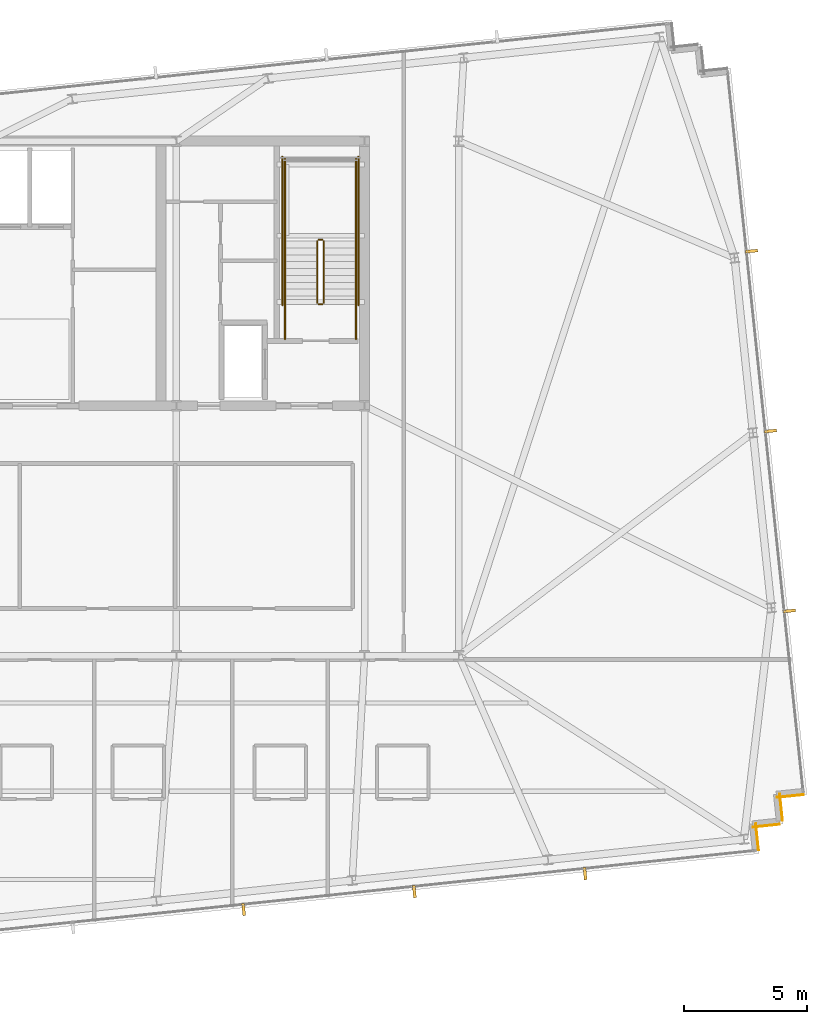
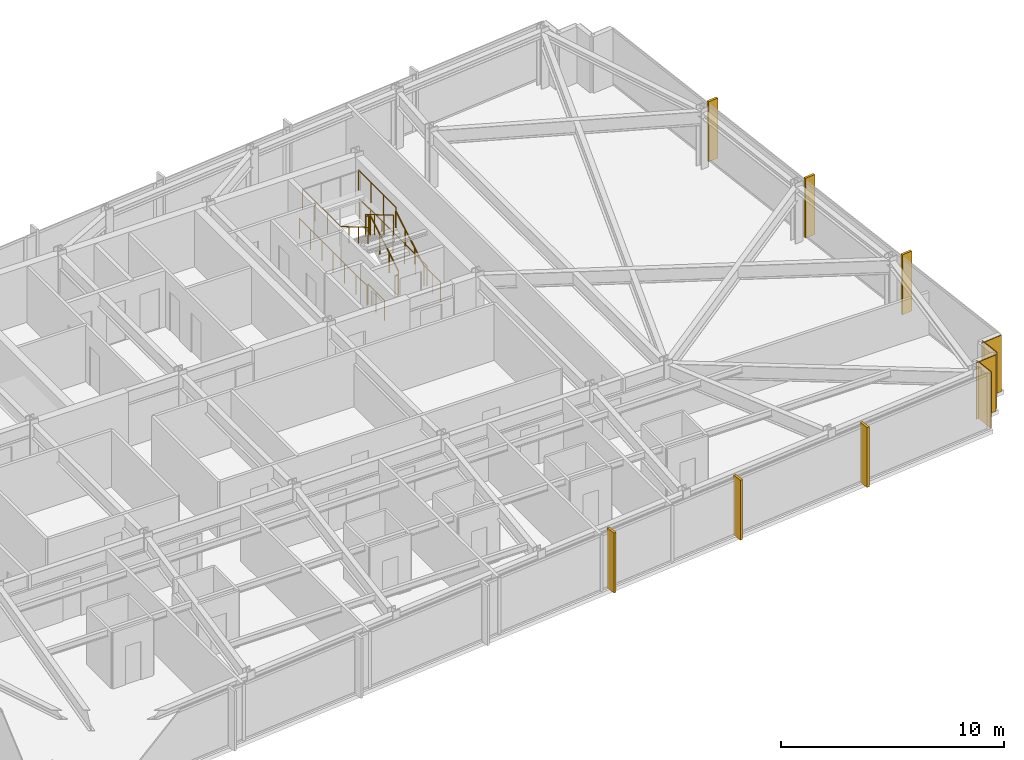
# One storey, part 32 of 33: 12 railings, 6 shading devices, 4 coverings.
"""IFC4 building model written with IfcOpenShell, lengths in metres."""

from ifc_helpers import new_model, si_unit, direction, frame, frame_2d, origin, origin_2d, place, context, subcontext, project, spatial, rectangle, circle, extrude, material, layer, layer_set, type_object, element, save


model = new_model("IFC4")

# Units and contexts
model_context = context("Model", 3, precision=1e-05, world=origin(), true_north=direction((0.0, 1.0)))
body_context = subcontext(model_context, "Body", "Model", "MODEL_VIEW")
ifc_project = project(units=[si_unit("LENGTHUNIT", "METRE"), si_unit("AREAUNIT", "SQUARE_METRE"), si_unit("VOLUMEUNIT", "CUBIC_METRE"), si_unit("PLANEANGLEUNIT", "RADIAN"), si_unit("MASSUNIT", "GRAM", prefix="KILO")], contexts=[model_context])

# Site, building, storey
site_placement = place(None, origin())
site = spatial("IfcSite", under=ifc_project, at=site_placement, CompositionType="ELEMENT")
building_placement = place(site_placement, origin())
building = spatial("IfcBuilding", under=site, at=building_placement, Name="Yelkora Congress Tower", CompositionType="ELEMENT")
storey_placement = place(building_placement, frame((0.0, 0.0, 237.5)))
storey = spatial("IfcBuildingStorey", under=building, at=storey_placement, Name="L66", CompositionType="ELEMENT", Elevation=237.5)

# Coverings
ifc_material_1 = material(Name="Anatolian bush-hammered limestone", Category="masonry")
ifc_layer_1 = layer(ifc_material_1, 0.0400390625)
ifc_layer_set_1 = layer_set([ifc_layer_1], Name="Anatolian bush-hammered limestone")
covering_type = type_object("IfcCoveringType", Name="COV-CLAD-SPANDREL-40", PredefinedType="CLADDING", material=ifc_layer_set_1)
for number, where, z_axis, x_axis, name in (
    (1, (71.668212890625, 19.535888671875, 0.0), (0.0, 0.0, 1.0), (-0.994544300928, -0.104315068386, 0.0), "L66 Anatolian Limestone Cladding EW-L66-SR16"),
    (2, (70.6943359375, 19.569580078125, 0.0), (0.0, 0.0, 1.0), (0.104534592565, -0.994521251134, 0.0), "L66 Anatolian Limestone Cladding EW-L66-SR17"),
    (3, (70.689208984375, 18.3271484375, 0.0), (0.0, 0.0, 1.0), (-0.994521251134, -0.104534592565, 0.0), "L66 Anatolian Limestone Cladding EW-L66-SR18"),
    (4, (69.71533203125, 18.360595703125, 0.0), (0.0, 0.0, 1.0), (0.104534592565, -0.994521251134, 0.0), "L66 Anatolian Limestone Cladding EW-L66-SR19"),
):
    element("IfcCovering", number, at=place(storey_placement, frame(where, z_axis=z_axis, x_axis=x_axis)), inside=storey, type_object=covering_type, Name=name, PredefinedType="CLADDING", context=body_context, shape_type="SweptSolid", body=[
        extrude(rectangle(XDim=1.10009765625, YDim=0.0400390625, at=frame_2d((0.550048828125, 0.0))), origin(), (0.0, 0.0, 1.0), 3.080078125),
    ])

# Railings
ifc_material_2 = material(Name="Painted galvanised steel stair well guard with vertical infill", Category="steel")
ifc_layer_2 = layer(ifc_material_2, 0.06005859375)
ifc_layer_set_2 = layer_set([ifc_layer_2], Name="Painted galvanised steel stair well guard with vertical infill")
railing_type_1 = type_object("IfcRailingType", Name="RAIL-STAIR-GUARD-1120", PredefinedType="GUARDRAIL", material=ifc_layer_set_2)
railing_1_placement = place(storey_placement, frame((52.090087890625, 39.60009765625, 0.1650390625)))
element("IfcRailing", 5, at=railing_1_placement, inside=storey, type_object=railing_type_1, Name="ST-02 L66 Stair Well Guardrail 1", PredefinedType="GUARDRAIL", context=body_context, shape_type="SweptSolid", body=[
    extrude(circle(Radius=0.02392578125, at=origin_2d()), frame((0.0, 0.0, 1.09619140625), z_axis=(0.0, 0.861560626758, 0.507654692109), x_axis=(-1.0, 0.0, 0.0)), (0.0, 0.0, 1.0), 2.925048828125),
    extrude(circle(Radius=0.02099609375, at=origin_2d()), origin(), (0.0, 0.0, 1.0), 1.072021484375),
    extrude(circle(Radius=0.02099609375, at=origin_2d()), frame((0.0, 0.840087890625, 0.494873046875)), (0.0, 0.0, 1.0), 1.072021484375),
    extrude(circle(Radius=0.02099609375, at=origin_2d()), frame((0.0, 1.679931640625, 0.989990234375)), (0.0, 0.0, 1.0), 1.072021484375),
    extrude(circle(Radius=0.02099609375, at=origin_2d()), frame((0.0, 2.52001953125, 1.48486328125)), (0.0, 0.0, 1.0), 1.072021484375),
])
railing_2_placement = place(storey_placement, frame((52.0400390625, 42.169921875, 1.64990234375)))
element("IfcRailing", 6, at=railing_2_placement, inside=storey, type_object=railing_type_1, Name="ST-02 L66 Stair Well Guardrail 2", PredefinedType="GUARDRAIL", context=body_context, shape_type="SweptSolid", body=[
    extrude(circle(Radius=0.02392578125, at=origin_2d()), frame((0.0, 0.0, 1.09619140625), z_axis=(-1.0, 0.0, 0.0), x_axis=(0.0, -1.0, 0.0)), (0.0, 0.0, 1.0), 0.16015625),
    extrude(circle(Radius=0.02099609375, at=origin_2d()), origin(), (0.0, 0.0, 1.0), 1.072021484375),
    extrude(circle(Radius=0.02099609375, at=origin_2d()), frame((-0.16015625, 0.0, 0.0)), (0.0, 0.0, 1.0), 1.072021484375),
])
for number, where, name in (
    (7, (53.409912109375, 42.1201171875, 1.64990234375), "ST-02 L66 Stair Well Guardrail 3"),
    (8, (50.510009765625, 42.1201171875, 1.64990234375), "ST-02 L66 Stair Well Guardrail 4"),
):
    element("IfcRailing", number, at=place(storey_placement, frame(where)), inside=storey, type_object=railing_type_1, Name=name, PredefinedType="GUARDRAIL", context=body_context, shape_type="SweptSolid", body=[
        extrude(circle(Radius=0.02392578125, at=origin_2d()), frame((0.0, 0.0, 1.09619140625), z_axis=(0.0, 1.0, 0.0), x_axis=(-1.0, 0.0, 0.0)), (0.0, 0.0, 1.0), 3.349853515625),
        extrude(circle(Radius=0.02099609375, at=origin_2d()), origin(), (0.0, 0.0, 1.0), 1.072021484375),
        extrude(circle(Radius=0.02099609375, at=origin_2d()), frame((0.0, 1.11669921875, 0.0)), (0.0, 0.0, 1.0), 1.072021484375),
        extrude(circle(Radius=0.02099609375, at=origin_2d()), frame((0.0, 2.233154296875, 0.0)), (0.0, 0.0, 1.0), 1.072021484375),
        extrude(circle(Radius=0.02099609375, at=origin_2d()), frame((0.0, 3.349853515625, 0.0)), (0.0, 0.0, 1.0), 1.072021484375),
    ])
railing_3_placement = place(storey_placement, frame((51.830078125, 42.1201171875, 1.81494140625)))
element("IfcRailing", 9, at=railing_3_placement, inside=storey, type_object=railing_type_1, Name="ST-02 L66 Stair Well Guardrail 6", PredefinedType="GUARDRAIL", context=body_context, shape_type="SweptSolid", body=[
    extrude(circle(Radius=0.02392578125, at=origin_2d()), frame((0.0, 0.0, 1.09619140625), z_axis=(0.0, -0.86152411907, 0.507716645641), x_axis=(1.0, 0.0, 0.0)), (0.0, 0.0, 1.0), 2.925048828125),
    extrude(circle(Radius=0.02099609375, at=origin_2d()), origin(), (0.0, 0.0, 1.0), 1.072021484375),
    extrude(circle(Radius=0.02099609375, at=origin_2d()), frame((0.0, -0.840087890625, 0.4951171875)), (0.0, 0.0, 1.0), 1.072021484375),
    extrude(circle(Radius=0.02099609375, at=origin_2d()), frame((0.0, -1.679931640625, 0.989990234375)), (0.0, 0.0, 1.0), 1.072021484375),
    extrude(circle(Radius=0.02099609375, at=origin_2d()), frame((0.0, -2.52001953125, 1.485107421875)), (0.0, 0.0, 1.0), 1.072021484375),
])
railing_4_placement = place(storey_placement, frame((52.0400390625, 39.550048828125, 0.0)))
element("IfcRailing", 10, at=railing_4_placement, inside=storey, type_object=railing_type_1, Name="ST-02 L66 Stair Well Guardrail 7", PredefinedType="GUARDRAIL", context=body_context, shape_type="SweptSolid", body=[
    extrude(circle(Radius=0.02392578125, at=origin_2d()), frame((0.0, 0.0, 1.09619140625), z_axis=(-1.0, 0.0, 0.0), x_axis=(0.0, -1.0, 0.0)), (0.0, 0.0, 1.0), 0.16015625),
    extrude(circle(Radius=0.02099609375, at=origin_2d()), origin(), (0.0, 0.0, 1.0), 1.072021484375),
    extrude(circle(Radius=0.02099609375, at=origin_2d()), frame((-0.16015625, 0.0, 0.0)), (0.0, 0.0, 1.0), 1.072021484375),
])
for number, where, name in (
    (11, (53.409912109375, 38.1201171875, 0.0), "ST-02 L66 Stair Well Guardrail 8"),
    (12, (50.510009765625, 38.1201171875, 0.0), "ST-02 L66 Stair Well Guardrail 9"),
):
    element("IfcRailing", number, at=place(storey_placement, frame(where)), inside=storey, type_object=railing_type_1, Name=name, PredefinedType="GUARDRAIL", context=body_context, shape_type="SweptSolid", body=[
        extrude(circle(Radius=0.02392578125, at=origin_2d()), frame((0.0, 0.0, 1.09619140625), z_axis=(0.0, 1.0, 0.0), x_axis=(-1.0, 0.0, 0.0)), (0.0, 0.0, 1.0), 1.47998046875),
        extrude(circle(Radius=0.02099609375, at=origin_2d()), origin(), (0.0, 0.0, 1.0), 1.072021484375),
        extrude(circle(Radius=0.02099609375, at=origin_2d()), frame((0.0, 0.739990234375, 0.0)), (0.0, 0.0, 1.0), 1.072021484375),
        extrude(circle(Radius=0.02099609375, at=origin_2d()), frame((0.0, 1.47998046875, 0.0)), (0.0, 0.0, 1.0), 1.072021484375),
    ])
for number, where, name in (
    (13, (53.510009765625, 39.5, 0.0), "ST-02 L66 Stair Well Guardrail 10"),
    (14, (50.409912109375, 39.5, 0.0), "ST-02 L66 Stair Well Guardrail 11"),
):
    element("IfcRailing", number, at=place(storey_placement, frame(where)), inside=storey, type_object=railing_type_1, Name=name, PredefinedType="GUARDRAIL", context=body_context, shape_type="SweptSolid", body=[
        extrude(circle(Radius=0.02392578125, at=origin_2d()), frame((0.0, 0.0, 1.09619140625), z_axis=(0.0, 1.0, 0.0), x_axis=(-1.0, 0.0, 0.0)), (0.0, 0.0, 1.0), 6.070068359375),
        extrude(circle(Radius=0.02099609375, at=origin_2d()), origin(), (0.0, 0.0, 1.0), 1.072021484375),
        extrude(circle(Radius=0.02099609375, at=origin_2d()), frame((0.0, 1.01171875, 0.0)), (0.0, 0.0, 1.0), 1.072021484375),
        extrude(circle(Radius=0.02099609375, at=origin_2d()), frame((0.0, 2.0234375, 0.0)), (0.0, 0.0, 1.0), 1.072021484375),
        extrude(circle(Radius=0.02099609375, at=origin_2d()), frame((0.0, 3.03515625, 0.0)), (0.0, 0.0, 1.0), 1.072021484375),
        extrude(circle(Radius=0.02099609375, at=origin_2d()), frame((0.0, 4.046630859375, 0.0)), (0.0, 0.0, 1.0), 1.072021484375),
        extrude(circle(Radius=0.02099609375, at=origin_2d()), frame((0.0, 5.058349609375, 0.0)), (0.0, 0.0, 1.0), 1.072021484375),
        extrude(circle(Radius=0.02099609375, at=origin_2d()), frame((0.0, 6.070068359375, 0.0)), (0.0, 0.0, 1.0), 1.072021484375),
    ])
ifc_material_3 = material(Name="Brushed stainless steel tubular handrail", Category="steel")
ifc_layer_3 = layer(ifc_material_3, 0.050048828125)
ifc_layer_set_3 = layer_set([ifc_layer_3], Name="Brushed stainless steel tubular handrail")
railing_type_2 = type_object("IfcRailingType", Name="RAIL-STAIR-HAND-920", PredefinedType="HANDRAIL", material=ifc_layer_set_3)
railing_5_placement = place(storey_placement, frame((53.409912109375, 39.60009765625, 0.1650390625)))
element("IfcRailing", 15, at=railing_5_placement, inside=storey, type_object=railing_type_2, Name="ST-02 L66 Pitch Handrail 1", PredefinedType="HANDRAIL", context=body_context, shape_type="SweptSolid", body=[
    extrude(circle(Radius=0.02392578125, at=origin_2d()), frame((0.0, 0.0, 0.89599609375), z_axis=(0.0, 0.861560626758, 0.507654692109), x_axis=(-1.0, 0.0, 0.0)), (0.0, 0.0, 1.0), 2.925048828125),
    extrude(circle(Radius=0.02099609375, at=origin_2d()), origin(), (0.0, 0.0, 1.0), 0.871826171875),
    extrude(circle(Radius=0.02099609375, at=origin_2d()), frame((0.0, 0.840087890625, 0.494873046875)), (0.0, 0.0, 1.0), 0.871826171875),
    extrude(circle(Radius=0.02099609375, at=origin_2d()), frame((0.0, 1.679931640625, 0.989990234375)), (0.0, 0.0, 1.0), 0.871826171875),
    extrude(circle(Radius=0.02099609375, at=origin_2d()), frame((0.0, 2.52001953125, 1.48486328125)), (0.0, 0.0, 1.0), 0.871826171875),
])
railing_6_placement = place(storey_placement, frame((50.510009765625, 42.1201171875, 1.81494140625)))
element("IfcRailing", 16, at=railing_6_placement, inside=storey, type_object=railing_type_2, Name="ST-02 L66 Pitch Handrail 2", PredefinedType="HANDRAIL", context=body_context, shape_type="SweptSolid", body=[
    extrude(circle(Radius=0.02392578125, at=origin_2d()), frame((0.0, 0.0, 0.89599609375), z_axis=(0.0, -0.86152411907, 0.507716645641), x_axis=(1.0, 0.0, 0.0)), (0.0, 0.0, 1.0), 2.925048828125),
    extrude(circle(Radius=0.02099609375, at=origin_2d()), origin(), (0.0, 0.0, 1.0), 0.871826171875),
    extrude(circle(Radius=0.02099609375, at=origin_2d()), frame((0.0, -0.840087890625, 0.4951171875)), (0.0, 0.0, 1.0), 0.871826171875),
    extrude(circle(Radius=0.02099609375, at=origin_2d()), frame((0.0, -1.679931640625, 0.989990234375)), (0.0, 0.0, 1.0), 0.871826171875),
    extrude(circle(Radius=0.02099609375, at=origin_2d()), frame((0.0, -2.52001953125, 1.485107421875)), (0.0, 0.0, 1.0), 0.871826171875),
])

# Shading devices
ifc_material_4 = material(Name="Champagne anodised aluminium", Category="aluminium")
ifc_layer_4 = layer(ifc_material_4, 3.300048828125)
ifc_layer_set_4 = layer_set([ifc_layer_4], Name="Champagne anodised aluminium")
shading_device_type = type_object("IfcShadingDeviceType", Name="SHD-FIN-ALU-520", PredefinedType="USERDEFINED", material=ifc_layer_set_4)
for number, where, z_axis, x_axis, name in (
    (17, (69.538818359375, 41.7099609375, -0.02978515625), (0.0, 0.0, 1.0), (0.104528463268, -0.994521895368, 0.0), "L66 Vertical Anodised Solar Fin 15-1"),
    (18, (70.31005859375, 34.370361328125, -0.02978515625), (0.0, 0.0, 1.0), (0.104528463268, -0.994521895368, 0.0), "L66 Vertical Anodised Solar Fin 15-2"),
    (19, (71.08154296875, 27.03076171875, -0.02978515625), (0.0, 0.0, 1.0), (0.104528463268, -0.994521895368, 0.0), "L66 Vertical Anodised Solar Fin 15-3"),
    (20, (62.75244140625, 16.321533203125, -0.02978515625), (0.0, 0.0, 1.0), (-0.994521895368, -0.104528463268, 0.0), "L66 Vertical Anodised Solar Fin 20-1"),
    (21, (55.7880859375, 15.589599609375, -0.02978515625), (0.0, 0.0, 1.0), (-0.994521895368, -0.104528463268, 0.0), "L66 Vertical Anodised Solar Fin 20-2"),
    (22, (48.823486328125, 14.857421875, -0.02978515625), (0.0, 0.0, 1.0), (-0.994521895368, -0.104528463268, 0.0), "L66 Vertical Anodised Solar Fin 20-3"),
):
    element("IfcShadingDevice", number, at=place(storey_placement, frame(where, z_axis=z_axis, x_axis=x_axis)), inside=storey, type_object=shading_device_type, Name=name, ObjectType="FIN", PredefinedType="USERDEFINED", context=body_context, shape_type="SweptSolid", body=[
        extrude(rectangle(XDim=0.1201171875, YDim=0.52001953125, at=origin_2d()), origin(), (0.0, 0.0, 1.0), 3.280029296875),
    ])

save(model, "model.ifc")
